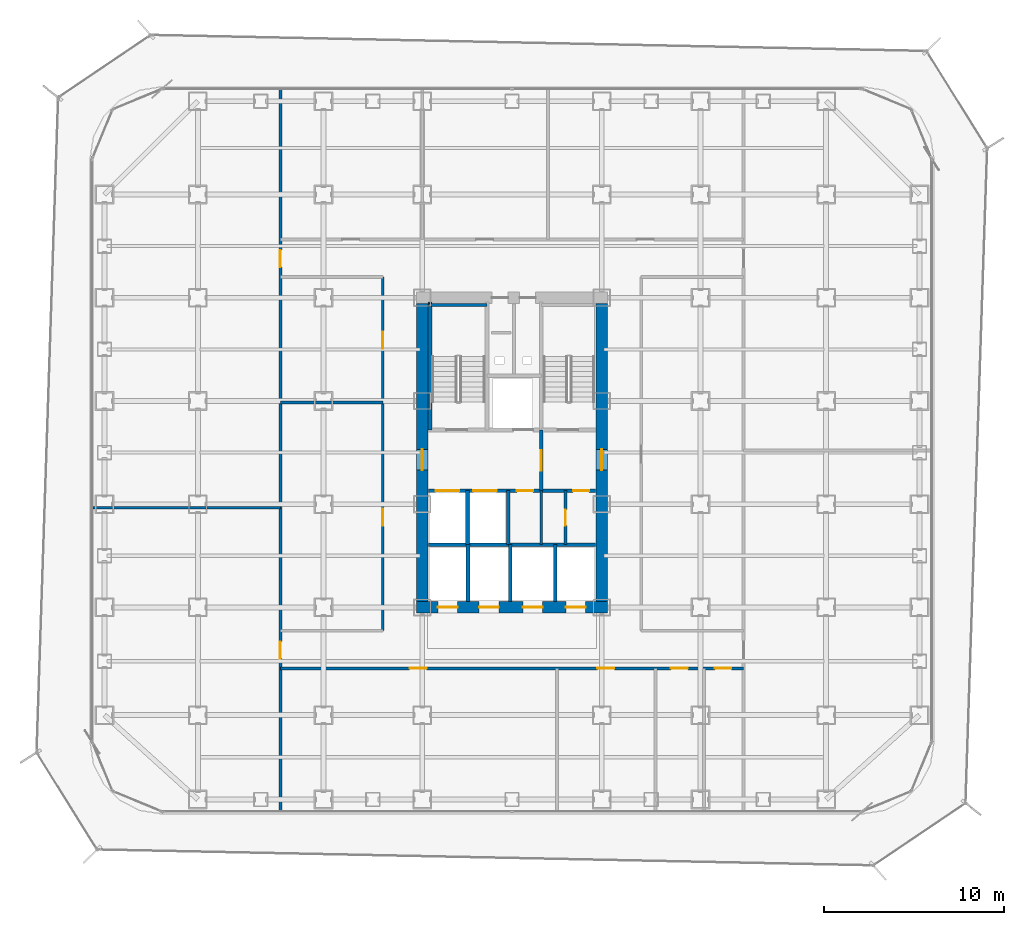
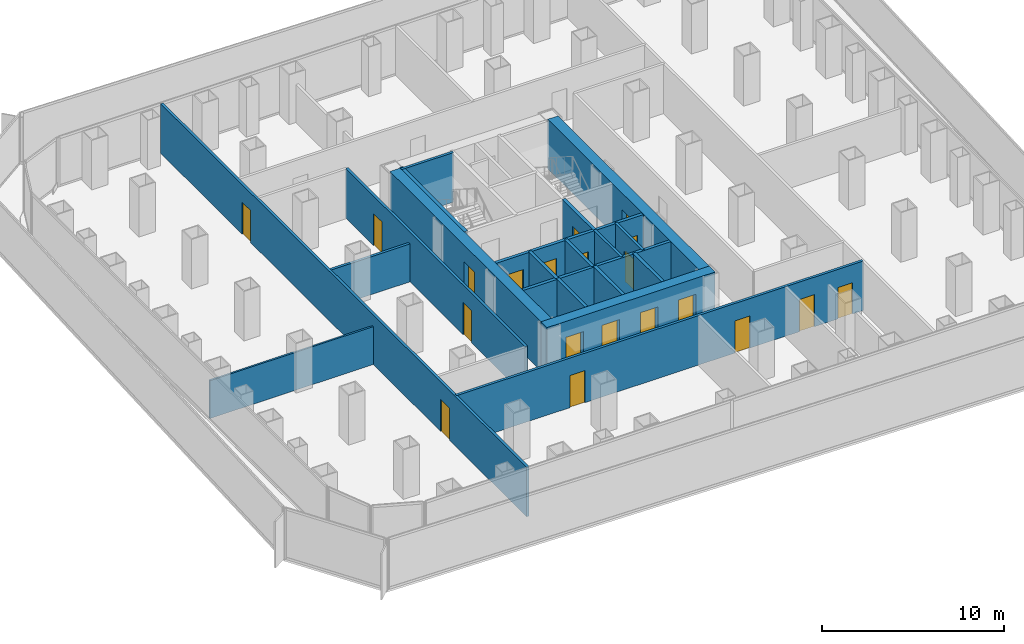
# One storey, part 17 of 21: 20 doors, 20 walls, 20 openings.
"""IFC4 building model written with IfcOpenShell, lengths in metres."""

from ifc_helpers import new_model, si_unit, direction, frame, frame_2d, origin, place, context, subcontext, project, spatial, rectangle, extrude, material, layer, layer_set, type_object, element, fill, save


model = new_model("IFC4")

# Units and contexts
model_context = context("Model", 3, precision=1e-05, world=origin(), true_north=direction((0.0, 1.0)))
body_context = subcontext(model_context, "Body", "Model", "MODEL_VIEW")
ifc_project = project(units=[si_unit("LENGTHUNIT", "METRE"), si_unit("AREAUNIT", "SQUARE_METRE"), si_unit("VOLUMEUNIT", "CUBIC_METRE"), si_unit("PLANEANGLEUNIT", "RADIAN"), si_unit("MASSUNIT", "GRAM", prefix="KILO")], contexts=[model_context])

# Site, building, storey
site_placement = place(None, origin())
site = spatial("IfcSite", under=ifc_project, at=site_placement, CompositionType="ELEMENT")
building_placement = place(site_placement, origin())
building = spatial("IfcBuilding", under=site, at=building_placement, Name="Kolveth Station Tower", CompositionType="ELEMENT")
storey_placement = place(building_placement, frame((0.0, 0.0, 47.699951171875)))
storey = spatial("IfcBuildingStorey", under=building, at=storey_placement, Name="L12", CompositionType="ELEMENT", Elevation=47.699951171875)

# Wall, openings, doors
ifc_material_1 = material(Name="Concrete C60/75", Category="concrete")
ifc_layer_1 = layer(ifc_material_1, 0.64990234375)
ifc_layer_set_1 = layer_set([ifc_layer_1], Name="Concrete C60/75")
wall_type_1 = type_object("IfcWallType", Name="Wall_CW-650", PredefinedType="SHEAR", material=ifc_layer_set_1)
wall_1_placement = place(storey_placement, frame((18.175048828125, 11.5, 0.0), z_axis=(0.0, 0.0, 1.0), x_axis=(1.0, 0.0, 0.0)))
wall_1 = element("IfcWall", 1, at=wall_1_placement, inside=storey, type_object=wall_type_1, Name="L12 Core RC Shear Wall S", PredefinedType="SHEAR", context=body_context, shape_type="SweptSolid", body=[
    extrude(rectangle(XDim=10.64990234375, YDim=0.64990234375, at=frame_2d((5.324951171875, 0.0))), origin(), (0.0, 0.0, 1.0), 3.320068359375),
])
opening_1_placement = place(wall_1_placement, frame((1.195068359375, 0.0, 0.0)))
opening_1 = element("IfcOpeningElement", 2, at=opening_1_placement, cuts=wall_1, Name="Opening LD1", PredefinedType="OPENING", context=body_context, shape_type="SweptSolid", body=[
    extrude(rectangle(XDim=1.10009765625, YDim=2.25, at=frame_2d((0.550048828125, 1.125))), frame((0.0, 0.3349609375, 0.0), z_axis=(0.0, -1.0, 0.0), x_axis=(1.0, 0.0, 0.0)), (0.0, 0.0, 1.0), 0.669921875),
])
opening_2_placement = place(wall_1_placement, frame((3.4951171875, 0.0, 0.0)))
opening_2 = element("IfcOpeningElement", 3, at=opening_2_placement, cuts=wall_1, Name="Opening LD1", PredefinedType="OPENING", context=body_context, shape_type="SweptSolid", body=[
    extrude(rectangle(XDim=1.10009765625, YDim=2.25, at=frame_2d((0.550048828125, 1.125))), frame((0.0, 0.3349609375, 0.0), z_axis=(0.0, -1.0, 0.0), x_axis=(1.0, 0.0, 0.0)), (0.0, 0.0, 1.0), 0.669921875),
])
opening_3_placement = place(wall_1_placement, frame((5.925048828125, 0.0, 0.0)))
opening_3 = element("IfcOpeningElement", 4, at=opening_3_placement, cuts=wall_1, Name="Opening LD1", PredefinedType="OPENING", context=body_context, shape_type="SweptSolid", body=[
    extrude(rectangle(XDim=1.10009765625, YDim=2.25, at=frame_2d((0.550048828125, 1.125))), frame((0.0, 0.3349609375, 0.0), z_axis=(0.0, -1.0, 0.0), x_axis=(1.0, 0.0, 0.0)), (0.0, 0.0, 1.0), 0.669921875),
])
opening_4_placement = place(wall_1_placement, frame((8.324951171875, 0.0, 0.0)))
opening_4 = element("IfcOpeningElement", 5, at=opening_4_placement, cuts=wall_1, Name="Opening LD1", PredefinedType="OPENING", context=body_context, shape_type="SweptSolid", body=[
    extrude(rectangle(XDim=1.10009765625, YDim=2.25, at=frame_2d((0.550048828125, 1.125))), frame((0.0, 0.3349609375, 0.0), z_axis=(0.0, -1.0, 0.0), x_axis=(1.0, 0.0, 0.0)), (0.0, 0.0, 1.0), 0.669921875),
])
ifc_material_2 = material(Name="Brushed stainless steel sliding landing doors", Category="steel")
door_type_1 = type_object("IfcDoorType", Name="Door_LD1", OperationType="NOTDEFINED", PredefinedType="DOOR", material=ifc_material_2)
door_1_placement = place(opening_1_placement, frame((1.10009765625, 0.0, 0.0), z_axis=(0.0, 0.0, 1.0), x_axis=(-1.0, 0.0, 0.0)))
door_1 = element("IfcDoor", 6, at=door_1_placement, inside=storey, type_object=door_type_1, Name="L12 Lift PL1 Landing Door", OperationType="DOUBLE_DOOR_SLIDING", OverallHeight=2.25, OverallWidth=1.10009765625, PredefinedType="DOOR", context=body_context, shape_type="SweptSolid", body=[
    extrude(rectangle(XDim=1.10009765625, YDim=2.25, at=frame_2d((0.550048828125, 1.125))), frame((0.0, 0.02490234375, 0.0), z_axis=(0.0, -1.0, 0.0), x_axis=(1.0, 0.0, 0.0)), (0.0, 0.0, 1.0), 0.050048828125),
])
fill(opening_1, door_1)
door_2_placement = place(opening_2_placement, frame((1.10009765625, 0.0, 0.0), z_axis=(0.0, 0.0, 1.0), x_axis=(-1.0, 0.0, 0.0)))
door_2 = element("IfcDoor", 7, at=door_2_placement, inside=storey, type_object=door_type_1, Name="L12 Lift PL2 Landing Door", OperationType="DOUBLE_DOOR_SLIDING", OverallHeight=2.25, OverallWidth=1.10009765625, PredefinedType="DOOR", context=body_context, shape_type="SweptSolid", body=[
    extrude(rectangle(XDim=1.10009765625, YDim=2.25, at=frame_2d((0.550048828125, 1.125))), frame((0.0, 0.02490234375, 0.0), z_axis=(0.0, -1.0, 0.0), x_axis=(1.0, 0.0, 0.0)), (0.0, 0.0, 1.0), 0.050048828125),
])
fill(opening_2, door_2)
door_3_placement = place(opening_3_placement, frame((1.10009765625, 0.0, 0.0), z_axis=(0.0, 0.0, 1.0), x_axis=(-1.0, 0.0, 0.0)))
door_3 = element("IfcDoor", 8, at=door_3_placement, inside=storey, type_object=door_type_1, Name="L12 Lift PM1 Landing Door", OperationType="DOUBLE_DOOR_SLIDING", OverallHeight=2.25, OverallWidth=1.10009765625, PredefinedType="DOOR", context=body_context, shape_type="SweptSolid", body=[
    extrude(rectangle(XDim=1.10009765625, YDim=2.25, at=frame_2d((0.550048828125, 1.125))), frame((0.0, 0.02490234375, 0.0), z_axis=(0.0, -1.0, 0.0), x_axis=(1.0, 0.0, 0.0)), (0.0, 0.0, 1.0), 0.050048828125),
])
fill(opening_3, door_3)
door_4_placement = place(opening_4_placement, frame((1.10009765625, 0.0, 0.0), z_axis=(0.0, 0.0, 1.0), x_axis=(-1.0, 0.0, 0.0)))
door_4 = element("IfcDoor", 9, at=door_4_placement, inside=storey, type_object=door_type_1, Name="L12 Lift PH1 Landing Door", OperationType="DOUBLE_DOOR_SLIDING", OverallHeight=2.25, OverallWidth=1.10009765625, PredefinedType="DOOR", context=body_context, shape_type="SweptSolid", body=[
    extrude(rectangle(XDim=1.10009765625, YDim=2.25, at=frame_2d((0.550048828125, 1.125))), frame((0.0, 0.02490234375, 0.0), z_axis=(0.0, -1.0, 0.0), x_axis=(1.0, 0.0, 0.0)), (0.0, 0.0, 1.0), 0.050048828125),
])
fill(opening_4, door_4)

# Wall, opening, door
wall_2_placement = place(storey_placement, frame((18.5, 11.824951171875, 0.0), z_axis=(0.0, 0.0, 1.0), x_axis=(0.0, 1.0, 0.0)))
wall_2 = element("IfcWall", 10, at=wall_2_placement, inside=storey, type_object=wall_type_1, Name="L12 Core RC Shear Wall W", PredefinedType="SHEAR", context=body_context, shape_type="SweptSolid", body=[
    extrude(rectangle(XDim=16.60009765625, YDim=0.64990234375, at=frame_2d((8.300048828125, 0.0))), origin(), (0.0, 0.0, 1.0), 3.320068359375),
])
opening_5_placement = place(wall_2_placement, frame((7.324951171875, 0.0, 0.0)))
opening_5 = element("IfcOpeningElement", 11, at=opening_5_placement, cuts=wall_2, Name="Opening FD1", PredefinedType="OPENING", context=body_context, shape_type="SweptSolid", body=[
    extrude(rectangle(XDim=1.14990234375, YDim=2.199951171875, at=frame_2d((0.574951171875, 1.10009765625))), frame((0.0, 0.3349609375, 0.0), z_axis=(0.0, -1.0, 0.0), x_axis=(1.0, 0.0, 0.0)), (0.0, 0.0, 1.0), 0.669921875),
])
ifc_material_3 = material(Name="Fire-rated Steel S355 leaf and frame", Category="steel")
door_type_2 = type_object("IfcDoorType", Name="Door_FD1", OperationType="NOTDEFINED", PredefinedType="DOOR", material=ifc_material_3)
door_5_placement = place(opening_5_placement, frame((1.14990234375, 0.0, 0.0), z_axis=(0.0, 0.0, 1.0), x_axis=(-1.0, 0.0, 0.0)))
door_5 = element("IfcDoor", 12, at=door_5_placement, inside=storey, type_object=door_type_2, Name="L12 West Corridor to Firefighting Lobby Door", OperationType="SINGLE_SWING_LEFT", OverallHeight=2.199951171875, OverallWidth=1.14990234375, PredefinedType="DOOR", context=body_context, shape_type="SweptSolid", body=[
    extrude(rectangle(XDim=1.14990234375, YDim=2.199951171875, at=frame_2d((0.574951171875, 1.10009765625))), frame((0.0, 0.02490234375, 0.0), z_axis=(0.0, -1.0, 0.0), x_axis=(1.0, 0.0, 0.0)), (0.0, 0.0, 1.0), 0.050048828125),
])
fill(opening_5, door_5)

wall_3_placement = place(storey_placement, frame((28.5, 11.824951171875, 0.0), z_axis=(0.0, 0.0, 1.0), x_axis=(0.0, 1.0, 0.0)))
wall_3 = element("IfcWall", 13, at=wall_3_placement, inside=storey, type_object=wall_type_1, Name="L12 Core RC Shear Wall E", PredefinedType="SHEAR", context=body_context, shape_type="SweptSolid", body=[
    extrude(rectangle(XDim=16.60009765625, YDim=0.64990234375, at=frame_2d((8.300048828125, 0.0))), origin(), (0.0, 0.0, 1.0), 3.320068359375),
])
opening_6_placement = place(wall_3_placement, frame((7.324951171875, 0.0, 0.0)))
opening_6 = element("IfcOpeningElement", 14, at=opening_6_placement, cuts=wall_3, Name="Opening FD1", PredefinedType="OPENING", context=body_context, shape_type="SweptSolid", body=[
    extrude(rectangle(XDim=1.14990234375, YDim=2.199951171875, at=frame_2d((0.574951171875, 1.10009765625))), frame((0.0, 0.3349609375, 0.0), z_axis=(0.0, -1.0, 0.0), x_axis=(1.0, 0.0, 0.0)), (0.0, 0.0, 1.0), 0.669921875),
])
door_6_placement = place(opening_6_placement, origin())
door_6 = element("IfcDoor", 15, at=door_6_placement, inside=storey, type_object=door_type_2, Name="L12 East Corridor to Stair Lobby Door", OperationType="SINGLE_SWING_LEFT", OverallHeight=2.199951171875, OverallWidth=1.14990234375, PredefinedType="DOOR", context=body_context, shape_type="SweptSolid", body=[
    extrude(rectangle(XDim=1.14990234375, YDim=2.199951171875, at=frame_2d((0.574951171875, 1.10009765625))), frame((0.0, 0.02490234375, 0.0), z_axis=(0.0, -1.0, 0.0), x_axis=(1.0, 0.0, 0.0)), (0.0, 0.0, 1.0), 0.050048828125),
])
fill(opening_6, door_6)

# Walls
ifc_material_4 = material(Name="Framed gypsum partition")
ifc_layer_2 = layer(ifc_material_4, 0.114990234375)
ifc_layer_set_2 = layer_set([ifc_layer_2], Name="Framed gypsum partition")
wall_type_2 = type_object("IfcWallType", Name="Wall_IW-115", PredefinedType="PARTITIONING", material=ifc_layer_set_2)
wall_4_placement = place(storey_placement, frame((0.159912109375, 17.050048828125, 0.0), z_axis=(0.0, 0.0, 1.0), x_axis=(1.0, 0.0, 0.0)))
element("IfcWall", 16, at=wall_4_placement, inside=storey, type_object=wall_type_2, Name="L12 Partition Wall WL-L12-OWM", PredefinedType="PARTITIONING", context=body_context, shape_type="SweptSolid", body=[
    extrude(rectangle(XDim=10.440185546875, YDim=0.114990234375, at=frame_2d((5.22021484375, 0.0))), origin(), (0.0, 0.0, 1.0), 2.5390625),
])
ifc_material_5 = material(Name="Acoustic double-stud gypsum partition")
ifc_layer_3 = layer(ifc_material_5, 0.1650390625)
ifc_layer_set_3 = layer_set([ifc_layer_3], Name="Acoustic double-stud gypsum partition")
wall_type_3 = type_object("IfcWallType", Name="Wall_IW-165", PredefinedType="PARTITIONING", material=ifc_layer_set_3)
wall_5_placement = place(storey_placement, frame((18.8349609375, 28.3349609375, 0.0), z_axis=(0.0, 0.0, 1.0), x_axis=(1.0, 0.0, 0.0)))
element("IfcWall", 17, at=wall_5_placement, inside=storey, type_object=wall_type_3, Name="L12 Stair Shaft Wall WL-L12-ST1-N", PredefinedType="PARTITIONING", context=body_context, shape_type="SweptSolid", body=[
    extrude(rectangle(XDim=3.275146484375, YDim=0.1650390625, at=frame_2d((1.6376953125, 0.0))), origin(), (0.0, 0.0, 1.0), 3.320068359375),
])
wall_6_placement = place(storey_placement, frame((25.1298828125, 15.0, 0.0), z_axis=(0.0, 0.0, 1.0), x_axis=(0.0, 1.0, 0.0)))
element("IfcWall", 18, at=wall_6_placement, inside=storey, type_object=wall_type_3, Name="L12 Partition Wall WL-L12-CB-V3A", PredefinedType="PARTITIONING", context=body_context, shape_type="SweptSolid", body=[
    extrude(rectangle(XDim=3.0, YDim=0.1650390625, at=frame_2d((1.5, 0.0))), origin(), (0.0, 0.0, 1.0), 3.320068359375),
])

# Wall, opening, door
wall_7_placement = place(storey_placement, frame((26.47998046875, 15.0, 0.0), z_axis=(0.0, 0.0, 1.0), x_axis=(0.0, 1.0, 0.0)))
wall_7 = element("IfcWall", 19, at=wall_7_placement, inside=storey, type_object=wall_type_3, Name="L12 Partition Wall WL-L12-CB-V3B", PredefinedType="PARTITIONING", context=body_context, shape_type="SweptSolid", body=[
    extrude(rectangle(XDim=3.0, YDim=0.1650390625, at=frame_2d((1.5, 0.0))), origin(), (0.0, 0.0, 1.0), 3.320068359375),
])
opening_7_placement = place(wall_7_placement, frame((1.050048828125, 0.0, 0.0)))
opening_7 = element("IfcOpeningElement", 20, at=opening_7_placement, cuts=wall_7, Name="Opening RD1", PredefinedType="OPENING", context=body_context, shape_type="SweptSolid", body=[
    extrude(rectangle(XDim=0.89990234375, YDim=2.050048828125, at=frame_2d((0.449951171875, 1.02490234375))), frame((0.0, 0.092529296875, 0.0), z_axis=(0.0, -1.0, 0.0), x_axis=(1.0, 0.0, 0.0)), (0.0, 0.0, 1.0), 0.18505859375),
])
ifc_material_6 = material(Name="Fire-rated Steel S355 riser access leaf", Category="steel")
door_type_3 = type_object("IfcDoorType", Name="Door_RD1", OperationType="NOTDEFINED", PredefinedType="DOOR", material=ifc_material_6)
door_7_placement = place(opening_7_placement, origin())
door_7 = element("IfcDoor", 21, at=door_7_placement, inside=storey, type_object=door_type_3, Name="L12 Core Meter Closet Door", OperationType="SINGLE_SWING_LEFT", OverallHeight=2.050048828125, OverallWidth=0.89990234375, PredefinedType="DOOR", context=body_context, shape_type="SweptSolid", body=[
    extrude(rectangle(XDim=0.89990234375, YDim=2.050048828125, at=frame_2d((0.449951171875, 1.02490234375))), frame((0.0, 0.02490234375, 0.0), z_axis=(0.0, -1.0, 0.0), x_axis=(1.0, 0.0, 0.0)), (0.0, 0.0, 1.0), 0.050048828125),
])
fill(opening_7, door_7)

# Wall, openings, doors
wall_8_placement = place(storey_placement, frame((10.60009765625, 8.10009765625, 0.0), z_axis=(0.0, 0.0, 1.0), x_axis=(1.0, 0.0, 0.0)))
wall_8 = element("IfcWall", 22, at=wall_8_placement, inside=storey, type_object=wall_type_3, Name="L12 Partition Wall WL-L12-OS", PredefinedType="PARTITIONING", context=body_context, shape_type="SweptSolid", body=[
    extrude(rectangle(XDim=25.7998046875, YDim=0.1650390625, at=frame_2d((12.89990234375, 0.0))), origin(), (0.0, 0.0, 1.0), 3.320068359375),
])
opening_8_placement = place(wall_8_placement, frame((7.199951171875, 0.0, 0.0)))
opening_8 = element("IfcOpeningElement", 23, at=opening_8_placement, cuts=wall_8, Name="Opening ID1", PredefinedType="OPENING", context=body_context, shape_type="SweptSolid", body=[
    extrude(rectangle(XDim=0.949951171875, YDim=2.14990234375, at=frame_2d((0.47509765625, 1.074951171875))), frame((0.0, 0.092529296875, 0.0), z_axis=(0.0, -1.0, 0.0), x_axis=(1.0, 0.0, 0.0)), (0.0, 0.0, 1.0), 0.18505859375),
])
opening_9_placement = place(wall_8_placement, frame((17.64990234375, 0.0, 0.0)))
opening_9 = element("IfcOpeningElement", 24, at=opening_9_placement, cuts=wall_8, Name="Opening ID1", PredefinedType="OPENING", context=body_context, shape_type="SweptSolid", body=[
    extrude(rectangle(XDim=0.949951171875, YDim=2.14990234375, at=frame_2d((0.47509765625, 1.074951171875))), frame((0.0, 0.092529296875, 0.0), z_axis=(0.0, -1.0, 0.0), x_axis=(1.0, 0.0, 0.0)), (0.0, 0.0, 1.0), 0.18505859375),
])
opening_10_placement = place(wall_8_placement, frame((21.75, 0.0, 0.0)))
opening_10 = element("IfcOpeningElement", 25, at=opening_10_placement, cuts=wall_8, Name="Opening ID1", PredefinedType="OPENING", context=body_context, shape_type="SweptSolid", body=[
    extrude(rectangle(XDim=0.949951171875, YDim=2.14990234375, at=frame_2d((0.47509765625, 1.074951171875))), frame((0.0, 0.092529296875, 0.0), z_axis=(0.0, -1.0, 0.0), x_axis=(1.0, 0.0, 0.0)), (0.0, 0.0, 1.0), 0.18505859375),
])
opening_11_placement = place(wall_8_placement, frame((24.199951171875, 0.0, 0.0)))
opening_11 = element("IfcOpeningElement", 26, at=opening_11_placement, cuts=wall_8, Name="Opening ID2", PredefinedType="OPENING", context=body_context, shape_type="SweptSolid", body=[
    extrude(rectangle(XDim=0.919921875, YDim=2.10009765625, at=frame_2d((0.4599609375, 1.050048828125))), frame((0.0, 0.092529296875, 0.0), z_axis=(0.0, -1.0, 0.0), x_axis=(1.0, 0.0, 0.0)), (0.0, 0.0, 1.0), 0.18505859375),
])
ifc_material_7 = material(Name="Acoustic hardwood leaf and aluminium frame", Category="wood")
door_type_4 = type_object("IfcDoorType", Name="Door_ID1", OperationType="NOTDEFINED", PredefinedType="DOOR", material=ifc_material_7)
door_8_placement = place(opening_8_placement, frame((0.949951171875, 0.0, 0.0), z_axis=(0.0, 0.0, 1.0), x_axis=(-1.0, 0.0, 0.0)))
door_8 = element("IfcDoor", 27, at=door_8_placement, inside=storey, type_object=door_type_4, Name="L12 Design Studio Open Office Door", OperationType="SINGLE_SWING_LEFT", OverallHeight=2.14990234375, OverallWidth=0.949951171875, PredefinedType="DOOR", context=body_context, shape_type="SweptSolid", body=[
    extrude(rectangle(XDim=0.949951171875, YDim=2.14990234375, at=frame_2d((0.47509765625, 1.074951171875))), frame((0.0, 0.02490234375, 0.0), z_axis=(0.0, -1.0, 0.0), x_axis=(1.0, 0.0, 0.0)), (0.0, 0.0, 1.0), 0.050048828125),
])
fill(opening_8, door_8)
door_9_placement = place(opening_9_placement, frame((0.949951171875, 0.0, 0.0), z_axis=(0.0, 0.0, 1.0), x_axis=(-1.0, 0.0, 0.0)))
door_9 = element("IfcDoor", 28, at=door_9_placement, inside=storey, type_object=door_type_4, Name="L12 Quiet Study 1 Door", OperationType="SINGLE_SWING_RIGHT", OverallHeight=2.14990234375, OverallWidth=0.949951171875, PredefinedType="DOOR", context=body_context, shape_type="SweptSolid", body=[
    extrude(rectangle(XDim=0.949951171875, YDim=2.14990234375, at=frame_2d((0.47509765625, 1.074951171875))), frame((0.0, 0.02490234375, 0.0), z_axis=(0.0, -1.0, 0.0), x_axis=(1.0, 0.0, 0.0)), (0.0, 0.0, 1.0), 0.050048828125),
])
fill(opening_9, door_9)
door_10_placement = place(opening_10_placement, frame((0.949951171875, 0.0, 0.0), z_axis=(0.0, 0.0, 1.0), x_axis=(-1.0, 0.0, 0.0)))
door_10 = element("IfcDoor", 29, at=door_10_placement, inside=storey, type_object=door_type_4, Name="L12 Office Pantry Door", OperationType="SINGLE_SWING_LEFT", OverallHeight=2.14990234375, OverallWidth=0.949951171875, PredefinedType="DOOR", context=body_context, shape_type="SweptSolid", body=[
    extrude(rectangle(XDim=0.949951171875, YDim=2.14990234375, at=frame_2d((0.47509765625, 1.074951171875))), frame((0.0, 0.02490234375, 0.0), z_axis=(0.0, -1.0, 0.0), x_axis=(1.0, 0.0, 0.0)), (0.0, 0.0, 1.0), 0.050048828125),
])
fill(opening_10, door_10)
ifc_material_8 = material(Name="Moisture-resistant hardwood leaf", Category="wood")
door_type_5 = type_object("IfcDoorType", Name="Door_ID2", OperationType="NOTDEFINED", PredefinedType="DOOR", material=ifc_material_8)
door_11_placement = place(opening_11_placement, frame((0.919921875, 0.0, 0.0), z_axis=(0.0, 0.0, 1.0), x_axis=(-1.0, 0.0, 0.0)))
door_11 = element("IfcDoor", 30, at=door_11_placement, inside=storey, type_object=door_type_5, Name="L12 Accessible WC Door", OperationType="SINGLE_SWING_RIGHT", OverallHeight=2.10009765625, OverallWidth=0.919921875, PredefinedType="DOOR", context=body_context, shape_type="SweptSolid", body=[
    extrude(rectangle(XDim=0.919921875, YDim=2.10009765625, at=frame_2d((0.4599609375, 1.050048828125))), frame((0.0, 0.02490234375, 0.0), z_axis=(0.0, -1.0, 0.0), x_axis=(1.0, 0.0, 0.0)), (0.0, 0.0, 1.0), 0.050048828125),
])
fill(opening_11, door_11)

wall_9_placement = place(storey_placement, frame((16.300048828125, 10.199951171875, 0.0), z_axis=(0.0, 0.0, 1.0), x_axis=(0.0, 1.0, 0.0)))
wall_9 = element("IfcWall", 31, at=wall_9_placement, inside=storey, type_object=wall_type_3, Name="L12 Partition Wall WL-L12-OCW", PredefinedType="PARTITIONING", context=body_context, shape_type="SweptSolid", body=[
    extrude(rectangle(XDim=19.699951171875, YDim=0.1650390625, at=frame_2d((9.85009765625, 0.0))), origin(), (0.0, 0.0, 1.0), 3.320068359375),
])
opening_12_placement = place(wall_9_placement, frame((5.85888671875, 0.0, 0.0)))
opening_12 = element("IfcOpeningElement", 32, at=opening_12_placement, cuts=wall_9, Name="Opening ID1", PredefinedType="OPENING", context=body_context, shape_type="SweptSolid", body=[
    extrude(rectangle(XDim=0.949951171875, YDim=2.14990234375, at=frame_2d((0.47509765625, 1.074951171875))), frame((0.0, 0.092529296875, 0.0), z_axis=(0.0, -1.0, 0.0), x_axis=(1.0, 0.0, 0.0)), (0.0, 0.0, 1.0), 0.18505859375),
])
opening_13_placement = place(wall_9_placement, frame((15.708984375, 0.0, 0.0)))
opening_13 = element("IfcOpeningElement", 33, at=opening_13_placement, cuts=wall_9, Name="Opening ID1", PredefinedType="OPENING", context=body_context, shape_type="SweptSolid", body=[
    extrude(rectangle(XDim=0.949951171875, YDim=2.14990234375, at=frame_2d((0.47509765625, 1.074951171875))), frame((0.0, 0.092529296875, 0.0), z_axis=(0.0, -1.0, 0.0), x_axis=(1.0, 0.0, 0.0)), (0.0, 0.0, 1.0), 0.18505859375),
])
door_12_placement = place(opening_12_placement, frame((0.949951171875, 0.0, 0.0), z_axis=(0.0, 0.0, 1.0), x_axis=(-1.0, 0.0, 0.0)))
door_12 = element("IfcDoor", 34, at=door_12_placement, inside=storey, type_object=door_type_4, Name="L12 Internal Meeting Room W1 Door", OperationType="SINGLE_SWING_RIGHT", OverallHeight=2.14990234375, OverallWidth=0.949951171875, PredefinedType="DOOR", context=body_context, shape_type="SweptSolid", body=[
    extrude(rectangle(XDim=0.949951171875, YDim=2.14990234375, at=frame_2d((0.47509765625, 1.074951171875))), frame((0.0, 0.02490234375, 0.0), z_axis=(0.0, -1.0, 0.0), x_axis=(1.0, 0.0, 0.0)), (0.0, 0.0, 1.0), 0.050048828125),
])
fill(opening_12, door_12)
door_13_placement = place(opening_13_placement, frame((0.949951171875, 0.0, 0.0), z_axis=(0.0, 0.0, 1.0), x_axis=(-1.0, 0.0, 0.0)))
door_13 = element("IfcDoor", 35, at=door_13_placement, inside=storey, type_object=door_type_4, Name="L12 Print and Archive Room Door", OperationType="SINGLE_SWING_LEFT", OverallHeight=2.14990234375, OverallWidth=0.949951171875, PredefinedType="DOOR", context=body_context, shape_type="SweptSolid", body=[
    extrude(rectangle(XDim=0.949951171875, YDim=2.14990234375, at=frame_2d((0.47509765625, 1.074951171875))), frame((0.0, 0.02490234375, 0.0), z_axis=(0.0, -1.0, 0.0), x_axis=(1.0, 0.0, 0.0)), (0.0, 0.0, 1.0), 0.050048828125),
])
fill(opening_13, door_13)

wall_10_placement = place(storey_placement, frame((10.60009765625, 0.159912109375, 0.0), z_axis=(0.0, 0.0, 1.0), x_axis=(0.0, 1.0, 0.0)))
wall_10 = element("IfcWall", 36, at=wall_10_placement, inside=storey, type_object=wall_type_3, Name="L12 Partition Wall WL-L12-OWEND", PredefinedType="PARTITIONING", context=body_context, shape_type="SweptSolid", body=[
    extrude(rectangle(XDim=40.18017578125, YDim=0.1650390625, at=frame_2d((20.090087890625, 0.0))), origin(), (0.0, 0.0, 1.0), 3.320068359375),
])
opening_14_placement = place(wall_10_placement, frame((8.489990234375, 0.0, 0.0)))
opening_14 = element("IfcOpeningElement", 37, at=opening_14_placement, cuts=wall_10, Name="Opening ID1", PredefinedType="OPENING", context=body_context, shape_type="SweptSolid", body=[
    extrude(rectangle(XDim=0.949951171875, YDim=2.14990234375, at=frame_2d((0.47509765625, 1.074951171875))), frame((0.0, 0.092529296875, 0.0), z_axis=(0.0, -1.0, 0.0), x_axis=(1.0, 0.0, 0.0)), (0.0, 0.0, 1.0), 0.18505859375),
])
opening_15_placement = place(wall_10_placement, frame((30.2900390625, 0.0, 0.0)))
opening_15 = element("IfcOpeningElement", 38, at=opening_15_placement, cuts=wall_10, Name="Opening ID1", PredefinedType="OPENING", context=body_context, shape_type="SweptSolid", body=[
    extrude(rectangle(XDim=0.949951171875, YDim=2.14990234375, at=frame_2d((0.47509765625, 1.074951171875))), frame((0.0, 0.092529296875, 0.0), z_axis=(0.0, -1.0, 0.0), x_axis=(1.0, 0.0, 0.0)), (0.0, 0.0, 1.0), 0.18505859375),
])
door_14_placement = place(opening_14_placement, frame((0.949951171875, 0.0, 0.0), z_axis=(0.0, 0.0, 1.0), x_axis=(-1.0, 0.0, 0.0)))
door_14 = element("IfcDoor", 39, at=door_14_placement, inside=storey, type_object=door_type_4, Name="L12 West-South Wing Door", OperationType="SINGLE_SWING_LEFT", OverallHeight=2.14990234375, OverallWidth=0.949951171875, PredefinedType="DOOR", context=body_context, shape_type="SweptSolid", body=[
    extrude(rectangle(XDim=0.949951171875, YDim=2.14990234375, at=frame_2d((0.47509765625, 1.074951171875))), frame((0.0, 0.02490234375, 0.0), z_axis=(0.0, -1.0, 0.0), x_axis=(1.0, 0.0, 0.0)), (0.0, 0.0, 1.0), 0.050048828125),
])
fill(opening_14, door_14)
door_15_placement = place(opening_15_placement, frame((0.949951171875, 0.0, 0.0), z_axis=(0.0, 0.0, 1.0), x_axis=(-1.0, 0.0, 0.0)))
door_15 = element("IfcDoor", 40, at=door_15_placement, inside=storey, type_object=door_type_4, Name="L12 West-North Wing Door", OperationType="SINGLE_SWING_LEFT", OverallHeight=2.14990234375, OverallWidth=0.949951171875, PredefinedType="DOOR", context=body_context, shape_type="SweptSolid", body=[
    extrude(rectangle(XDim=0.949951171875, YDim=2.14990234375, at=frame_2d((0.47509765625, 1.074951171875))), frame((0.0, 0.02490234375, 0.0), z_axis=(0.0, -1.0, 0.0), x_axis=(1.0, 0.0, 0.0)), (0.0, 0.0, 1.0), 0.050048828125),
])
fill(opening_15, door_15)

# Wall
wall_11_placement = place(storey_placement, frame((10.60009765625, 22.91796875, 0.0), z_axis=(0.0, 0.0, 1.0), x_axis=(1.0, 0.0, 0.0)))
element("IfcWall", 41, at=wall_11_placement, inside=storey, type_object=wall_type_3, Name="L12 Partition Wall WL-L12-OIW-P1", PredefinedType="PARTITIONING", context=body_context, shape_type="SweptSolid", body=[
    extrude(rectangle(XDim=5.699951171875, YDim=0.1650390625, at=frame_2d((2.85009765625, 0.0))), origin(), (0.0, 0.0, 1.0), 2.5390625),
])

# Wall, opening, door
ifc_material_9 = material(Name="Acoustic fire-rated gypsum blockwork", Category="masonry")
ifc_layer_4 = layer(ifc_material_9, 0.199951171875)
ifc_layer_set_4 = layer_set([ifc_layer_4], Name="Acoustic fire-rated gypsum blockwork")
wall_type_4 = type_object("IfcWallType", Name="Wall_IW-200", PredefinedType="PARTITIONING", material=ifc_layer_set_4)
wall_12_placement = place(storey_placement, frame((25.1298828125, 18.0, 0.0), z_axis=(0.0, 0.0, 1.0), x_axis=(0.0, 1.0, 0.0)))
wall_12 = element("IfcWall", 42, at=wall_12_placement, inside=storey, type_object=wall_type_4, Name="L12 Partition Wall WL-L12-FFL-E", PredefinedType="PARTITIONING", context=body_context, shape_type="SweptSolid", body=[
    extrude(rectangle(XDim=3.389892578125, YDim=0.199951171875, at=frame_2d((1.69482421875, 0.0))), origin(), (0.0, 0.0, 1.0), 3.320068359375),
])
opening_16_placement = place(wall_12_placement, frame((1.10009765625, 0.0, 0.0)))
opening_16 = element("IfcOpeningElement", 43, at=opening_16_placement, cuts=wall_12, Name="Opening FD1", PredefinedType="OPENING", context=body_context, shape_type="SweptSolid", body=[
    extrude(rectangle(XDim=1.14990234375, YDim=2.199951171875, at=frame_2d((0.574951171875, 1.10009765625))), frame((0.0, 0.10986328125, 0.0), z_axis=(0.0, -1.0, 0.0), x_axis=(1.0, 0.0, 0.0)), (0.0, 0.0, 1.0), 0.219970703125),
])
door_16_placement = place(opening_16_placement, origin())
door_16 = element("IfcDoor", 44, at=door_16_placement, inside=storey, type_object=door_type_2, Name="L12 Firefighting to Stair Lobby Door", OperationType="SINGLE_SWING_LEFT", OverallHeight=2.199951171875, OverallWidth=1.14990234375, PredefinedType="DOOR", context=body_context, shape_type="SweptSolid", body=[
    extrude(rectangle(XDim=1.14990234375, YDim=2.199951171875, at=frame_2d((0.574951171875, 1.10009765625))), frame((0.0, 0.02490234375, 0.0), z_axis=(0.0, -1.0, 0.0), x_axis=(1.0, 0.0, 0.0)), (0.0, 0.0, 1.0), 0.050048828125),
])
fill(opening_16, door_16)

# Wall, openings, doors
wall_13_placement = place(storey_placement, frame((18.8349609375, 18.0, 0.0), z_axis=(0.0, 0.0, 1.0), x_axis=(1.0, 0.0, 0.0)))
wall_13 = element("IfcWall", 45, at=wall_13_placement, inside=storey, type_object=wall_type_4, Name="L12 Partition Wall WL-L12-FFL-S", PredefinedType="PARTITIONING", context=body_context, shape_type="SweptSolid", body=[
    extrude(rectangle(XDim=9.330078125, YDim=0.199951171875, at=frame_2d((4.6650390625, 0.0))), origin(), (0.0, 0.0, 1.0), 3.320068359375),
])
opening_17_placement = place(wall_13_placement, frame((0.4150390625, 0.0, 0.0)))
opening_17 = element("IfcOpeningElement", 46, at=opening_17_placement, cuts=wall_13, Name="Opening LD2", PredefinedType="OPENING", context=body_context, shape_type="SweptSolid", body=[
    extrude(rectangle(XDim=1.300048828125, YDim=2.300048828125, at=frame_2d((0.64990234375, 1.14990234375))), frame((0.0, 0.10986328125, 0.0), z_axis=(0.0, -1.0, 0.0), x_axis=(1.0, 0.0, 0.0)), (0.0, 0.0, 1.0), 0.219970703125),
])
opening_18_placement = place(wall_13_placement, frame((2.514892578125, 0.0, 0.0)))
opening_18 = element("IfcOpeningElement", 47, at=opening_18_placement, cuts=wall_13, Name="Opening LD2", PredefinedType="OPENING", context=body_context, shape_type="SweptSolid", body=[
    extrude(rectangle(XDim=1.300048828125, YDim=2.300048828125, at=frame_2d((0.64990234375, 1.14990234375))), frame((0.0, 0.10986328125, 0.0), z_axis=(0.0, -1.0, 0.0), x_axis=(1.0, 0.0, 0.0)), (0.0, 0.0, 1.0), 0.219970703125),
])
opening_19_placement = place(wall_13_placement, frame((4.93505859375, 0.0, 0.0)))
opening_19 = element("IfcOpeningElement", 48, at=opening_19_placement, cuts=wall_13, Name="Opening RD1", PredefinedType="OPENING", context=body_context, shape_type="SweptSolid", body=[
    extrude(rectangle(XDim=0.89990234375, YDim=2.050048828125, at=frame_2d((0.449951171875, 1.02490234375))), frame((0.0, 0.10986328125, 0.0), z_axis=(0.0, -1.0, 0.0), x_axis=(1.0, 0.0, 0.0)), (0.0, 0.0, 1.0), 0.219970703125),
])
opening_20_placement = place(wall_13_placement, frame((8.06494140625, 0.0, 0.0)))
opening_20 = element("IfcOpeningElement", 49, at=opening_20_placement, cuts=wall_13, Name="Opening RD1", PredefinedType="OPENING", context=body_context, shape_type="SweptSolid", body=[
    extrude(rectangle(XDim=0.89990234375, YDim=2.050048828125, at=frame_2d((0.449951171875, 1.02490234375))), frame((0.0, 0.10986328125, 0.0), z_axis=(0.0, -1.0, 0.0), x_axis=(1.0, 0.0, 0.0)), (0.0, 0.0, 1.0), 0.219970703125),
])
ifc_material_10 = material(Name="Firefighting stainless steel sliding landing doors", Category="steel")
door_type_6 = type_object("IfcDoorType", Name="Door_LD2", OperationType="NOTDEFINED", PredefinedType="DOOR", material=ifc_material_10)
door_17_placement = place(opening_17_placement, origin())
door_17 = element("IfcDoor", 50, at=door_17_placement, inside=storey, type_object=door_type_6, Name="L12 Firefighting Lift FF1 Landing Door", OperationType="DOUBLE_DOOR_SLIDING", OverallHeight=2.300048828125, OverallWidth=1.300048828125, PredefinedType="DOOR", context=body_context, shape_type="SweptSolid", body=[
    extrude(rectangle(XDim=1.300048828125, YDim=2.300048828125, at=frame_2d((0.64990234375, 1.14990234375))), frame((0.0, 0.02490234375, 0.0), z_axis=(0.0, -1.0, 0.0), x_axis=(1.0, 0.0, 0.0)), (0.0, 0.0, 1.0), 0.050048828125),
])
fill(opening_17, door_17)
door_18_placement = place(opening_18_placement, origin())
door_18 = element("IfcDoor", 51, at=door_18_placement, inside=storey, type_object=door_type_6, Name="L12 Firefighting Lift FF2 Landing Door", OperationType="DOUBLE_DOOR_SLIDING", OverallHeight=2.300048828125, OverallWidth=1.300048828125, PredefinedType="DOOR", context=body_context, shape_type="SweptSolid", body=[
    extrude(rectangle(XDim=1.300048828125, YDim=2.300048828125, at=frame_2d((0.64990234375, 1.14990234375))), frame((0.0, 0.02490234375, 0.0), z_axis=(0.0, -1.0, 0.0), x_axis=(1.0, 0.0, 0.0)), (0.0, 0.0, 1.0), 0.050048828125),
])
fill(opening_18, door_18)
door_19_placement = place(opening_19_placement, frame((0.89990234375, 0.0, 0.0), z_axis=(0.0, 0.0, 1.0), x_axis=(-1.0, 0.0, 0.0)))
door_19 = element("IfcDoor", 52, at=door_19_placement, inside=storey, type_object=door_type_3, Name="L12 Core Staff WC Door", OperationType="SINGLE_SWING_RIGHT", OverallHeight=2.050048828125, OverallWidth=0.89990234375, PredefinedType="DOOR", context=body_context, shape_type="SweptSolid", body=[
    extrude(rectangle(XDim=0.89990234375, YDim=2.050048828125, at=frame_2d((0.449951171875, 1.02490234375))), frame((0.0, 0.02490234375, 0.0), z_axis=(0.0, -1.0, 0.0), x_axis=(1.0, 0.0, 0.0)), (0.0, 0.0, 1.0), 0.050048828125),
])
fill(opening_19, door_19)
door_20_placement = place(opening_20_placement, frame((0.89990234375, 0.0, 0.0), z_axis=(0.0, 0.0, 1.0), x_axis=(-1.0, 0.0, 0.0)))
door_20 = element("IfcDoor", 53, at=door_20_placement, inside=storey, type_object=door_type_3, Name="L12 Core Janitor Store Door", OperationType="SINGLE_SWING_RIGHT", OverallHeight=2.050048828125, OverallWidth=0.89990234375, PredefinedType="DOOR", context=body_context, shape_type="SweptSolid", body=[
    extrude(rectangle(XDim=0.89990234375, YDim=2.050048828125, at=frame_2d((0.449951171875, 1.02490234375))), frame((0.0, 0.02490234375, 0.0), z_axis=(0.0, -1.0, 0.0), x_axis=(1.0, 0.0, 0.0)), (0.0, 0.0, 1.0), 0.050048828125),
])
fill(opening_20, door_20)

# Walls
for number, where, z_axis, x_axis, name in (
    (54, (21.02001953125, 15.0, 0.0), (0.0, 0.0, 1.0), (0.0, 1.0, 0.0), "L12 Partition Wall WL-L12-FF12"),
    (55, (23.300048828125, 15.0, 0.0), (0.0, 0.0, 1.0), (0.0, 1.0, 0.0), "L12 Partition Wall WL-L12-FF2E"),
):
    element("IfcWall", number, at=place(storey_placement, frame(where, z_axis=z_axis, x_axis=x_axis)), inside=storey, type_object=wall_type_4, Name=name, PredefinedType="PARTITIONING", context=body_context, shape_type="SweptSolid", body=[
        extrude(rectangle(XDim=3.0, YDim=0.199951171875, at=frame_2d((1.5, 0.0))), origin(), (0.0, 0.0, 1.0), 3.320068359375),
    ])
wall_14_placement = place(storey_placement, frame((18.8349609375, 15.0, 0.0), z_axis=(0.0, 0.0, 1.0), x_axis=(1.0, 0.0, 0.0)))
element("IfcWall", 56, at=wall_14_placement, inside=storey, type_object=wall_type_4, Name="L12 Partition Wall WL-L12-BOH-S", PredefinedType="PARTITIONING", context=body_context, shape_type="SweptSolid", body=[
    extrude(rectangle(XDim=9.330078125, YDim=0.199951171875, at=frame_2d((4.6650390625, 0.0))), origin(), (0.0, 0.0, 1.0), 3.320068359375),
])
for number, where, z_axis, x_axis, name in (
    (57, (21.050048828125, 11.8349609375, 0.0), (0.0, 0.0, 1.0), (0.0, 1.0, 0.0), "L12 Partition Wall WL-L12-PL12"),
    (58, (23.39990234375, 11.8349609375, 0.0), (0.0, 0.0, 1.0), (0.0, 1.0, 0.0), "L12 Partition Wall WL-L12-PL2E"),
    (59, (25.89990234375, 11.8349609375, 0.0), (0.0, 0.0, 1.0), (0.0, 1.0, 0.0), "L12 Partition Wall WL-L12-PMPH"),
):
    element("IfcWall", number, at=place(storey_placement, frame(where, z_axis=z_axis, x_axis=x_axis)), inside=storey, type_object=wall_type_4, Name=name, PredefinedType="PARTITIONING", context=body_context, shape_type="SweptSolid", body=[
        extrude(rectangle(XDim=3.1650390625, YDim=0.199951171875, at=frame_2d((1.58251953125, 0.0))), origin(), (0.0, 0.0, 1.0), 3.320068359375),
    ])
ifc_material_11 = material(Name="Concrete C40/50", Category="concrete")
ifc_layer_5 = layer(ifc_material_11, 0.219970703125)
ifc_layer_set_5 = layer_set([ifc_layer_5], Name="Concrete C40/50")
wall_type_5 = type_object("IfcWallType", Name="Wall_IW-220", PredefinedType="SOLIDWALL", material=ifc_layer_set_5)
wall_15_placement = place(storey_placement, frame((18.929931640625, 21.389892578125, 0.0), z_axis=(0.0, 0.0, 1.0), x_axis=(0.0, 1.0, 0.0)))
element("IfcWall", 60, at=wall_15_placement, inside=storey, type_object=wall_type_5, Name="L12 Stair Shaft Wall WL-L12-ST1-W", PredefinedType="SOLIDWALL", context=body_context, shape_type="SweptSolid", body=[
    extrude(rectangle(XDim=7.110107421875, YDim=0.219970703125, at=frame_2d((3.55517578125, 0.0))), origin(), (0.0, 0.0, 1.0), 3.320068359375),
])

save(model, "model.ifc")
